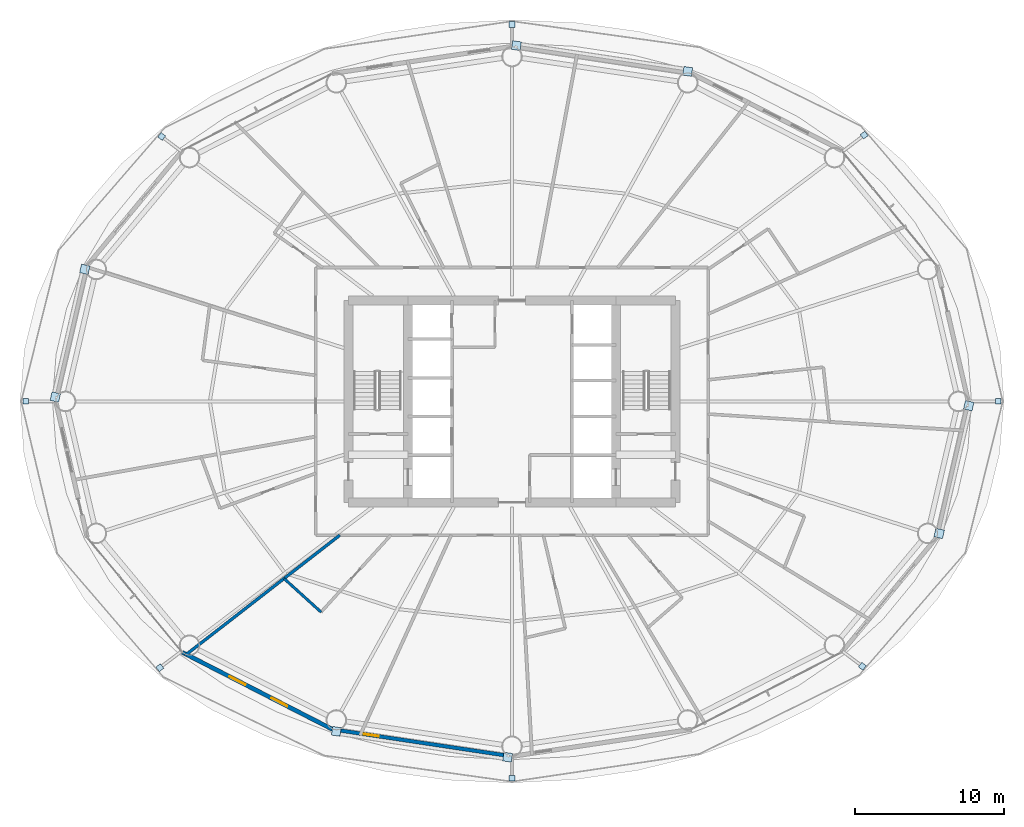
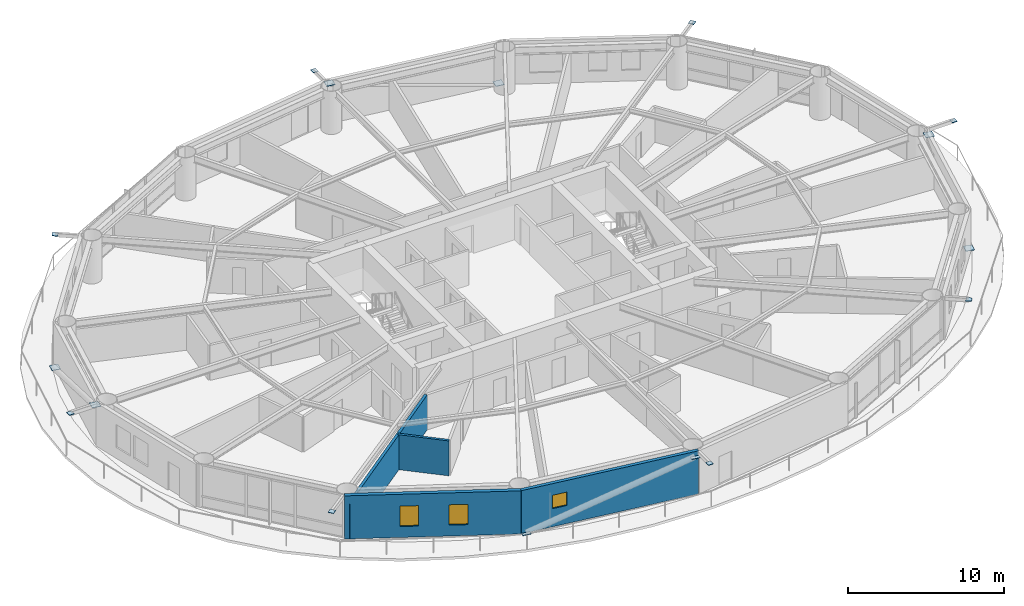
# One storey, part 19 of 26: 16 plates, 4 walls, 3 windows, 3 openings.
"""IFC4 building model written with IfcOpenShell, lengths in metres."""

import ifcopenshell
import ifcopenshell.guid

model = None  # the IFC model being written
_history = None  # IfcOwnerHistory: only IFC2X3 demands one
_inside = {}  # id of a spatial element -> (the spatial element, [elements in it])
_under = {}  # id of a project, library or spatial element -> (it, [spatial elements below it])
_declared = {}  # id of a project -> (the project, [libraries it declares])
_typed = {}  # id of a type object -> (the type object, [elements of that type])
_made_of = {}  # id of a material, layer set ... -> (it, [elements and type objects made of it])


def new_model(schema):
    """Start an empty IFC model of exactly this schema.

    Asked for "IFC4X3", IfcOpenShell would pick the latest addendum, in which some entities
    have other attributes; the version numbers below select the first issue.
    IFC2X3 requires an IfcOwnerHistory on every rooted entity: one is made here for all.
    """
    global model, _history
    if schema == "IFC4X3":
        model = ifcopenshell.file(schema_version=(4, 3, 0, 0))
    else:
        model = ifcopenshell.file(schema=schema)
    _inside.clear()
    _under.clear()
    _declared.clear()
    _typed.clear()
    _made_of.clear()
    _history = None
    if model.schema == "IFC2X3":
        org = make("IfcOrganization", Name="unknown")
        user = make(
            "IfcPersonAndOrganization",
            ThePerson=make("IfcPerson", FamilyName="unknown"),
            TheOrganization=org,
        )
        app = make(
            "IfcApplication",
            ApplicationDeveloper=org,
            Version="unknown",
            ApplicationFullName="unknown",
            ApplicationIdentifier="unknown",
        )
        _history = make(
            "IfcOwnerHistory",
            OwningUser=user,
            OwningApplication=app,
            ChangeAction="ADDED",
            CreationDate=0,
        )
    return model


def make(cls, **values):
    """One entity of the class cls with the attributes given. An attribute that is None is left unset."""
    return model.create_entity(
        cls, **{name: value for name, value in values.items() if value is not None}
    )


def rooted(cls, **values):
    """An entity with a GlobalId (a new one), such as an element, a storey or a relation."""
    return make(cls, GlobalId=ifcopenshell.guid.new(), OwnerHistory=_history, **values)


def si_unit(unit_type, name, prefix=None):
    """IfcSIUnit, for example si_unit("LENGTHUNIT", "METRE", prefix="MILLI")."""
    return make("IfcSIUnit", UnitType=unit_type, Prefix=prefix, Name=name)


def assignment(units):
    """IfcUnitAssignment: the units of a project."""
    return None if units is None else make("IfcUnitAssignment", Units=units)


def point(xyz):
    """IfcCartesianPoint."""
    return None if xyz is None else make("IfcCartesianPoint", Coordinates=xyz)


def direction(xyz):
    """IfcDirection."""
    return None if xyz is None else make("IfcDirection", DirectionRatios=xyz)


def frame(location, z_axis=None, x_axis=None):
    """IfcAxis2Placement3D, a coordinate frame: its origin and axes. An axis left out is left unset."""
    return make(
        "IfcAxis2Placement3D",
        Location=point(location),
        Axis=direction(z_axis),
        RefDirection=direction(x_axis),
    )


def frame_2d(location, x_axis=None):
    """IfcAxis2Placement2D, a coordinate frame in the plane: its origin and x axis."""
    return make(
        "IfcAxis2Placement2D", Location=point(location), RefDirection=direction(x_axis)
    )


def origin():
    """The frame at (0, 0, 0) with its axes left unset."""
    return frame((0.0, 0.0, 0.0))


def origin_2d():
    """The frame at (0, 0) in the plane with its x axis left unset."""
    return frame_2d((0.0, 0.0))


def place(relative_to, where):
    """IfcLocalPlacement: puts the frame where relative to a parent placement (None: the world)."""
    return make(
        "IfcLocalPlacement", PlacementRelTo=relative_to, RelativePlacement=where
    )


def context(
    kind, dimensions, precision=None, world=None, true_north=None, identifier=None
):
    """IfcGeometricRepresentationContext, for example the 3D "Model" context."""
    return make(
        "IfcGeometricRepresentationContext",
        ContextIdentifier=identifier,
        ContextType=kind,
        CoordinateSpaceDimension=dimensions,
        Precision=precision,
        WorldCoordinateSystem=world,
        TrueNorth=true_north,
    )


def subcontext(parent, identifier, kind, view, scale=None):
    """IfcGeometricRepresentationSubContext, for example "Body" below "Model"."""
    return make(
        "IfcGeometricRepresentationSubContext",
        ContextIdentifier=identifier,
        ContextType=kind,
        ParentContext=parent,
        TargetScale=scale,
        TargetView=view,
    )


def project(units=None, contexts=None):
    """IfcProject with its units and contexts."""
    return rooted(
        "IfcProject",
        Name="project",
        RepresentationContexts=contexts,
        UnitsInContext=assignment(units),
    )


def spatial(cls, under=None, at=None, **own):
    """A site, building, storey or space (cls), placed at a placement, below another one or the project."""
    s = rooted(cls, ObjectPlacement=at, **own)
    if under is not None:
        _under.setdefault(under.id(), (under, []))[1].append(s)
    return s


def profile(cls, at=None, kind="AREA", **sizes):
    """A parametric profile (cls). Its sizes go by their IFC names, for example OverallWidth=200.0."""
    return make(cls, ProfileType=kind, Position=at, **sizes)


def rectangle(**sizes):
    """IfcRectangleProfileDef."""
    return profile("IfcRectangleProfileDef", **sizes)


def extrude(swept, where, along, depth):
    """IfcExtrudedAreaSolid: the profile swept, set in the frame where, extruded along a direction by depth."""
    return make(
        "IfcExtrudedAreaSolid",
        SweptArea=swept,
        Position=where,
        ExtrudedDirection=direction(along),
        Depth=depth,
    )


def shape(context_of_items, identifier, shape_type, items):
    """IfcShapeRepresentation: the items that make up one representation, for example the "Body"."""
    return make(
        "IfcShapeRepresentation",
        ContextOfItems=context_of_items,
        RepresentationIdentifier=identifier,
        RepresentationType=shape_type,
        Items=items,
    )


def material(Name=None, Category=None):
    """IfcMaterial."""
    return make("IfcMaterial", Name=Name, Category=Category)


def layer(
    of_material, thickness, ventilated=None, Name=None, Category=None, Priority=None
):
    """IfcMaterialLayer: one layer of a wall or slab, of a material (None: an air gap)."""
    return make(
        "IfcMaterialLayer",
        Material=of_material,
        LayerThickness=thickness,
        IsVentilated=ventilated,
        Name=Name,
        Category=Category,
        Priority=Priority,
    )


def layer_set(layers, Name=None):
    """IfcMaterialLayerSet."""
    return make("IfcMaterialLayerSet", MaterialLayers=layers, LayerSetName=Name)


def made_of(thing, what):
    """Note that an element or type object is made of a material, layer set ...; save() writes the relation."""
    if what is not None:
        _made_of.setdefault(what.id(), (what, []))[1].append(thing)
    return thing


def type_object(cls, material=None, **own):
    """A type object (cls), such as IfcWallType, which elements share."""
    return made_of(rooted(cls, **own), material)


def element(
    cls,
    number,
    at=None,
    inside=None,
    cuts=None,
    type_object=None,
    material=None,
    context=None,
    identifier="Body",
    shape_type=None,
    held_by="IfcProductDefinitionShape",
    body=None,
    shapes=None,
    **own,
):
    """One element of the class cls, such as IfcWall. Its Tag is "e" and its number.

    at: its placement. inside: the storey or other place that contains it. cuts: it is an
    opening in that element (IfcRelVoidsElement). A single representation is given by context,
    identifier, shape_type and body (its items); several are given by shapes. held_by: the class
    of the entity that holds the representations. save() writes the other relations.
    """
    e = rooted(cls, Tag="e%d" % number, ObjectPlacement=at, **own)
    if body is not None:
        shapes = [shape(context, identifier, shape_type, body)]
    if shapes is not None:
        e.Representation = make(held_by, Representations=shapes)
    if inside is not None:
        _inside.setdefault(inside.id(), (inside, []))[1].append(e)
    if cuts is not None:
        rooted(
            "IfcRelVoidsElement", RelatingBuildingElement=cuts, RelatedOpeningElement=e
        )
    if type_object is not None:
        _typed.setdefault(type_object.id(), (type_object, []))[1].append(e)
    return made_of(e, material)


def fill(opening, filler):
    """IfcRelFillsElement: the door or window that sits in an opening."""
    return rooted(
        "IfcRelFillsElement",
        RelatingOpeningElement=opening,
        RelatedBuildingElement=filler,
    )


def aggregate(whole, parts):
    """IfcRelAggregates: a whole, such as a stair, and the parts it consists of."""
    return rooted("IfcRelAggregates", RelatingObject=whole, RelatedObjects=parts)


def save(model, path):
    """Write the relations noted so far, then the file.

    IfcRelAggregates (storeys below a building ...), IfcRelContainedInSpatialStructure (elements
    in a storey), IfcRelDefinesByType, IfcRelAssociatesMaterial and IfcRelDeclares: one each for
    every whole, place, type object, material and project.
    """
    for whole, parts in _under.values():
        aggregate(whole, parts)
    for where, things in _inside.values():
        rooted(
            "IfcRelContainedInSpatialStructure",
            RelatedElements=things,
            RelatingStructure=where,
        )
    for kind, things in _typed.values():
        rooted("IfcRelDefinesByType", RelatedObjects=things, RelatingType=kind)
    for what, things in _made_of.values():
        rooted("IfcRelAssociatesMaterial", RelatedObjects=things, RelatingMaterial=what)
    for by, libraries in _declared.values():
        rooted("IfcRelDeclares", RelatingContext=by, RelatedDefinitions=libraries)
    model.write(path)


model = new_model("IFC4")

# Units and contexts
model_context = context("Model", 3, precision=1e-05, world=origin(), true_north=direction((0.0, 1.0)))
body_context = subcontext(model_context, "Body", "Model", "MODEL_VIEW")
ifc_project = project(units=[si_unit("LENGTHUNIT", "METRE"), si_unit("AREAUNIT", "SQUARE_METRE"), si_unit("VOLUMEUNIT", "CUBIC_METRE"), si_unit("PLANEANGLEUNIT", "RADIAN"), si_unit("MASSUNIT", "GRAM", prefix="KILO")], contexts=[model_context])

# Site, building, storey
site_placement = place(None, origin())
site = spatial("IfcSite", under=ifc_project, at=site_placement, CompositionType="ELEMENT")
building_placement = place(site_placement, origin())
building = spatial("IfcBuilding", under=site, at=building_placement, Name="Sarneth Arch Tower", CompositionType="ELEMENT")
storey_placement = place(building_placement, frame((0.0, 0.0, 53.39990234375)))
storey = spatial("IfcBuildingStorey", under=building, at=storey_placement, Name="L12", CompositionType="ELEMENT", Elevation=53.39990234375)

# Plates
ifc_material_1 = material(Name="Steel S355", Category="steel")
ifc_layer_1 = layer(ifc_material_1, 0.035888671875)
ifc_layer_set_1 = layer_set([ifc_layer_1], Name="Steel S355")
plate_type = type_object("IfcPlateType", Name="PLT-GUSSET-30", PredefinedType="SHEET", material=ifc_layer_set_1)
for number, where, z_axis, x_axis, name in (
    (1, (80.72412109375, 42.0, 3.2021484375), (0.0, 0.0, 1.0), (1.0, 0.0, 0.0), "Steel end cap plate GP-1"),
    (2, (71.69140625, 59.9130859375, 3.2021484375), (0.0, 0.0, 1.0), (0.797689196331, 0.603068773902, 0.0), "Steel end cap plate GP-1"),
):
    element("IfcPlate", number, at=place(storey_placement, frame(where, z_axis=z_axis, x_axis=x_axis)), inside=storey, type_object=plate_type, Name=name, PredefinedType="SHEET", context=body_context, shape_type="SweptSolid", body=[
        extrude(rectangle(XDim=0.3798828125, YDim=0.3798828125, at=origin_2d()), origin(), (0.0, 0.0, 1.0), 0.035888671875),
    ])
for number, where, z_axis, x_axis, name in (
    (3, (59.819580078125, 64.19921875, 0.001953125), (0.0, 0.0, 1.0), (-0.98883454203, 0.149017611339, 0.0), "Steel end cap plate GP-1"),
    (4, (48.296630859375, 65.935302734375, 2.98876953125), (0.0, 0.0, 1.0), (-0.98883454203, 0.149017611339, 0.0), "Steel end cap plate GP-1"),
):
    element("IfcPlate", number, at=place(storey_placement, frame(where, z_axis=z_axis, x_axis=x_axis)), inside=storey, type_object=plate_type, Name=name, PredefinedType="SHEET", context=body_context, shape_type="SweptSolid", body=[
        extrude(rectangle(XDim=0.587890625, YDim=0.587890625, at=origin_2d()), origin(), (0.0, 0.0, 1.0), 0.035888671875),
    ])
for number, where, z_axis, x_axis, name in (
    (5, (48.0, 67.360595703125, 3.2021484375), (0.0, 0.0, 1.0), (0.0, 1.0, 0.0), "Steel end cap plate GP-1"),
    (6, (24.429443359375, 59.82177734375, 3.2021484375), (0.0, 0.0, 1.0), (-0.797689196331, 0.603068773902, 0.0), "Steel end cap plate GP-1"),
):
    element("IfcPlate", number, at=place(storey_placement, frame(where, z_axis=z_axis, x_axis=x_axis)), inside=storey, type_object=plate_type, Name=name, PredefinedType="SHEET", context=body_context, shape_type="SweptSolid", body=[
        extrude(rectangle(XDim=0.3798828125, YDim=0.3798828125, at=origin_2d()), origin(), (0.0, 0.0, 1.0), 0.035888671875),
    ])
for number, where, z_axis, x_axis, name in (
    (7, (19.260986328125, 50.884521484375, 0.001953125), (0.0, 0.0, 1.0), (-0.225291159947, -0.974291482694, 0.0), "Steel end cap plate GP-1"),
    (8, (17.274658203125, 42.292236328125, 2.98876953125), (0.0, 0.0, 1.0), (-0.225291159947, -0.974291482694, 0.0), "Steel end cap plate GP-1"),
):
    element("IfcPlate", number, at=place(storey_placement, frame(where, z_axis=z_axis, x_axis=x_axis)), inside=storey, type_object=plate_type, Name=name, PredefinedType="SHEET", context=body_context, shape_type="SweptSolid", body=[
        extrude(rectangle(XDim=0.587890625, YDim=0.587890625, at=origin_2d()), origin(), (0.0, 0.0, 1.0), 0.035888671875),
    ])
for number, where, z_axis, x_axis, name in (
    (9, (15.27587890625, 42.0, 3.2021484375), (0.0, 0.0, 1.0), (-1.0, 0.0, 0.0), "Steel end cap plate GP-1"),
    (10, (24.30859375, 24.0869140625, 3.2021484375), (0.0, 0.0, 1.0), (-0.797689196331, -0.603068773902, 0.0), "Steel end cap plate GP-1"),
):
    element("IfcPlate", number, at=place(storey_placement, frame(where, z_axis=z_axis, x_axis=x_axis)), inside=storey, type_object=plate_type, Name=name, PredefinedType="SHEET", context=body_context, shape_type="SweptSolid", body=[
        extrude(rectangle(XDim=0.3798828125, YDim=0.3798828125, at=origin_2d()), origin(), (0.0, 0.0, 1.0), 0.035888671875),
    ])
for number, where, z_axis, x_axis, name in (
    (11, (36.180419921875, 19.80078125, 0.001953125), (0.0, 0.0, 1.0), (0.98883454203, -0.149017611339, 0.0), "Steel end cap plate GP-1"),
    (12, (47.703369140625, 18.064697265625, 2.98876953125), (0.0, 0.0, 1.0), (0.98883454203, -0.149017611339, 0.0), "Steel end cap plate GP-1"),
):
    element("IfcPlate", number, at=place(storey_placement, frame(where, z_axis=z_axis, x_axis=x_axis)), inside=storey, type_object=plate_type, Name=name, PredefinedType="SHEET", context=body_context, shape_type="SweptSolid", body=[
        extrude(rectangle(XDim=0.587890625, YDim=0.587890625, at=origin_2d()), origin(), (0.0, 0.0, 1.0), 0.035888671875),
    ])
for number, where, z_axis, x_axis, name in (
    (13, (48.0, 16.639404296875, 3.2021484375), (0.0, 0.0, 1.0), (0.0, -1.0, 0.0), "Steel end cap plate GP-1"),
    (14, (71.570556640625, 24.17822265625, 3.2021484375), (0.0, 0.0, 1.0), (0.797689196331, -0.603068773902, 0.0), "Steel end cap plate GP-1"),
):
    element("IfcPlate", number, at=place(storey_placement, frame(where, z_axis=z_axis, x_axis=x_axis)), inside=storey, type_object=plate_type, Name=name, PredefinedType="SHEET", context=body_context, shape_type="SweptSolid", body=[
        extrude(rectangle(XDim=0.3798828125, YDim=0.3798828125, at=origin_2d()), origin(), (0.0, 0.0, 1.0), 0.035888671875),
    ])
for number, where, z_axis, x_axis, name in (
    (15, (76.739013671875, 33.115478515625, 0.001953125), (0.0, 0.0, 1.0), (0.225291159947, 0.974291482694, 0.0), "Steel end cap plate GP-1"),
    (16, (78.725341796875, 41.707763671875, 2.98876953125), (0.0, 0.0, 1.0), (0.225291159947, 0.974291482694, 0.0), "Steel end cap plate GP-1"),
):
    element("IfcPlate", number, at=place(storey_placement, frame(where, z_axis=z_axis, x_axis=x_axis)), inside=storey, type_object=plate_type, Name=name, PredefinedType="SHEET", context=body_context, shape_type="SweptSolid", body=[
        extrude(rectangle(XDim=0.587890625, YDim=0.587890625, at=origin_2d()), origin(), (0.0, 0.0, 1.0), 0.035888671875),
    ])

# Wall, opening, window
ifc_material_2 = material(Name="Extruded terracotta rainscreen on Concrete C40/50 backing", Category="masonry")
ifc_layer_2 = layer(ifc_material_2, 0.25)
ifc_layer_set_2 = layer_set([ifc_layer_2], Name="Extruded terracotta rainscreen on Concrete C40/50 backing")
wall_type_1 = type_object("IfcWallType", Name="WALL-EXT-SPAND-250", PredefinedType="SOLIDWALL", material=ifc_layer_set_2)
wall_1_placement = place(storey_placement, frame((35.922119140625, 19.937744140625, 0.0), z_axis=(0.0, 0.0, 1.0), x_axis=(0.988864835849, -0.148816452121, 0.0)))
wall_1 = element("IfcWall", 17, at=wall_1_placement, inside=storey, type_object=wall_type_1, Name="L12 Terracotta perimeter wall 12", PredefinedType="SOLIDWALL", context=body_context, shape_type="SweptSolid", body=[
    extrude(rectangle(XDim=12.2138671875, YDim=0.25, at=frame_2d((6.10693359375, 0.0))), origin(), (0.0, 0.0, 1.0), 3.380126953125),
])
opening_1_placement = place(wall_1_placement, frame((2.13916015625, 0.0, 1.419921875)))
opening_1 = element("IfcOpeningElement", 18, at=opening_1_placement, cuts=wall_1, Name="Opening W-14", PredefinedType="OPENING", context=body_context, shape_type="SweptSolid", body=[
    extrude(rectangle(XDim=1.0, YDim=1.050048828125, at=frame_2d((0.5, 0.52490234375))), frame((0.0, 0.135009765625, 0.0), z_axis=(0.0, -1.0, 0.0), x_axis=(1.0, 0.0, 0.0)), (0.0, 0.0, 1.0), 0.27001953125),
])
ifc_material_3 = material(Name="Thermally broken Aluminium 6063-T6 and low-e laminated IGU", Category="aluminium")
window_type_1 = type_object("IfcWindowType", Name="WIN-TWR-1000x1050", PartitioningType="SINGLE_PANEL", PredefinedType="WINDOW", material=ifc_material_3)
window_1_placement = place(opening_1_placement, origin())
window_1 = element("IfcWindow", 19, at=window_1_placement, inside=storey, type_object=window_type_1, Name="L12 Dwelling bedroom window 01", OverallHeight=1.050048828125, OverallWidth=1.0, PartitioningType="SINGLE_PANEL", PredefinedType="WINDOW", context=body_context, shape_type="SweptSolid", body=[
    extrude(rectangle(XDim=1.0, YDim=1.050048828125, at=frame_2d((0.5, 0.52490234375))), frame((0.0, 0.030029296875, 0.0), z_axis=(0.0, -1.0, 0.0), x_axis=(1.0, 0.0, 0.0)), (0.0, 0.0, 1.0), 0.06005859375),
])
fill(opening_1, window_1)

# Wall, openings, windows
ifc_material_4 = material(Name="Extruded terracotta rainscreen on Concrete C40/50 backing", Category="masonry")
ifc_layer_3 = layer(ifc_material_4, 0.280029296875)
ifc_layer_set_3 = layer_set([ifc_layer_3], Name="Extruded terracotta rainscreen on Concrete C40/50 backing")
wall_type_2 = type_object("IfcWallType", Name="WALL-EXT-TERRA-280", PredefinedType="SOLIDWALL", material=ifc_layer_set_3)
wall_2_placement = place(storey_placement, frame((25.825927734375, 25.1142578125, 0.0), z_axis=(0.0, 0.0, 1.0), x_axis=(0.889853976658, -0.456245438581, 0.0)))
wall_2 = element("IfcWall", 20, at=wall_2_placement, inside=storey, type_object=wall_type_2, Name="L12 Terracotta perimeter wall 11", PredefinedType="SOLIDWALL", context=body_context, shape_type="SweptSolid", body=[
    extrude(rectangle(XDim=11.345947265625, YDim=0.280029296875, at=frame_2d((5.6728515625, 0.0))), origin(), (0.0, 0.0, 1.0), 3.380126953125),
])
opening_2_placement = place(wall_2_placement, frame((3.567138671875, 0.0, 0.85009765625)))
opening_2 = element("IfcOpeningElement", 21, at=opening_2_placement, cuts=wall_2, Name="Opening W-10", PredefinedType="OPENING", context=body_context, shape_type="SweptSolid", body=[
    extrude(rectangle(XDim=1.199951171875, YDim=1.60009765625, at=frame_2d((0.60009765625, 0.800048828125))), frame((0.0, 0.14990234375, 0.0), z_axis=(0.0, -1.0, 0.0), x_axis=(1.0, 0.0, 0.0)), (0.0, 0.0, 1.0), 0.300048828125),
])
opening_3_placement = place(wall_2_placement, frame((6.72900390625, 0.0, 0.85009765625)))
opening_3 = element("IfcOpeningElement", 22, at=opening_3_placement, cuts=wall_2, Name="Opening W-10", PredefinedType="OPENING", context=body_context, shape_type="SweptSolid", body=[
    extrude(rectangle(XDim=1.199951171875, YDim=1.60009765625, at=frame_2d((0.60009765625, 0.800048828125))), frame((0.0, 0.14990234375, 0.0), z_axis=(0.0, -1.0, 0.0), x_axis=(1.0, 0.0, 0.0)), (0.0, 0.0, 1.0), 0.300048828125),
])
ifc_material_5 = material(Name="Thermally broken Aluminium 6063-T6 and low-e laminated IGU", Category="aluminium")
window_type_2 = type_object("IfcWindowType", Name="WIN-TWR-1200x1600", PartitioningType="SINGLE_PANEL", PredefinedType="WINDOW", material=ifc_material_5)
window_2_placement = place(opening_2_placement, origin())
window_2 = element("IfcWindow", 23, at=window_2_placement, inside=storey, type_object=window_type_2, Name="L12 Exterior window 11A", OverallHeight=1.60009765625, OverallWidth=1.199951171875, PartitioningType="SINGLE_PANEL", PredefinedType="WINDOW", context=body_context, shape_type="SweptSolid", body=[
    extrude(rectangle(XDim=1.199951171875, YDim=1.60009765625, at=frame_2d((0.60009765625, 0.800048828125))), frame((0.0, 0.030029296875, 0.0), z_axis=(0.0, -1.0, 0.0), x_axis=(1.0, 0.0, 0.0)), (0.0, 0.0, 1.0), 0.06005859375),
])
fill(opening_2, window_2)
window_3_placement = place(opening_3_placement, origin())
window_3 = element("IfcWindow", 24, at=window_3_placement, inside=storey, type_object=window_type_2, Name="L12 Exterior window 11B", OverallHeight=1.60009765625, OverallWidth=1.199951171875, PartitioningType="SINGLE_PANEL", PredefinedType="WINDOW", context=body_context, shape_type="SweptSolid", body=[
    extrude(rectangle(XDim=1.199951171875, YDim=1.60009765625, at=frame_2d((0.60009765625, 0.800048828125))), frame((0.0, 0.030029296875, 0.0), z_axis=(0.0, -1.0, 0.0), x_axis=(1.0, 0.0, 0.0)), (0.0, 0.0, 1.0), 0.06005859375),
])
fill(opening_3, window_3)

# Walls
ifc_material_6 = material(Name="Moisture-resistant plumbing chase wall", Category="gypsum")
ifc_layer_4 = layer(ifc_material_6, 0.179931640625)
ifc_layer_set_4 = layer_set([ifc_layer_4], Name="Moisture-resistant plumbing chase wall")
wall_type_3 = type_object("IfcWallType", Name="WALL-PLUMB-180", PredefinedType="PLUMBINGWALL", material=ifc_layer_set_4)
wall_3_placement = place(storey_placement, frame((32.66357421875, 30.083984375, 0.0), z_axis=(0.0, 0.0, 1.0), x_axis=(0.740964368308, -0.67154434321, 0.0)))
element("IfcWall", 25, at=wall_3_placement, inside=storey, type_object=wall_type_3, Name="L12 Interior partition W-L12-TP-052", PredefinedType="PLUMBINGWALL", context=body_context, shape_type="SweptSolid", body=[
    extrude(rectangle(XDim=3.362060546875, YDim=0.179931640625, at=frame_2d((1.68115234375, 0.0))), origin(), (0.0, 0.0, 1.0), 2.739990234375),
])
ifc_material_7 = material(Name="Double steel-stud acoustic drywall", Category="steel")
ifc_layer_5 = layer(ifc_material_7, 0.199951171875)
ifc_layer_set_5 = layer_set([ifc_layer_5], Name="Double steel-stud acoustic drywall")
wall_type_4 = type_object("IfcWallType", Name="WALL-UNIT-200", PredefinedType="PARTITIONING", material=ifc_layer_set_5)
wall_4_placement = place(storey_placement, frame((36.41650390625, 33.0, 0.0), z_axis=(0.0, 0.0, 1.0), x_axis=(-0.789656987139, -0.613548565855, 0.0)))
element("IfcWall", 26, at=wall_4_placement, inside=storey, type_object=wall_type_4, Name="L12 Interior partition W-L12-TP-050", PredefinedType="PARTITIONING", context=body_context, shape_type="SweptSolid", body=[
    extrude(rectangle(XDim=13.19482421875, YDim=0.199951171875, at=frame_2d((6.597412109375, 0.0))), origin(), (0.0, 0.0, 1.0), 2.739990234375),
])

save(model, "model.ifc")
